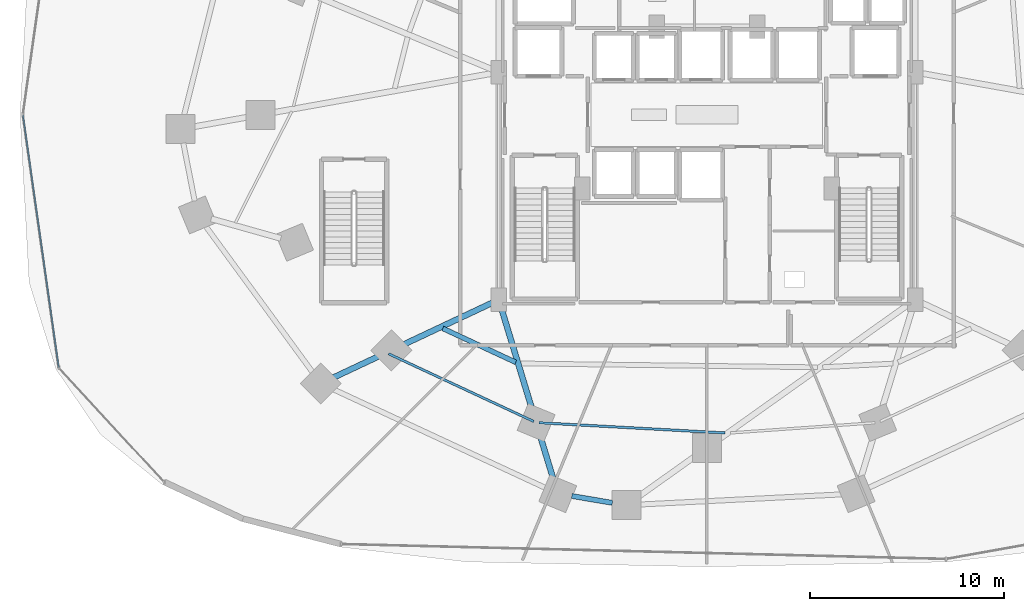
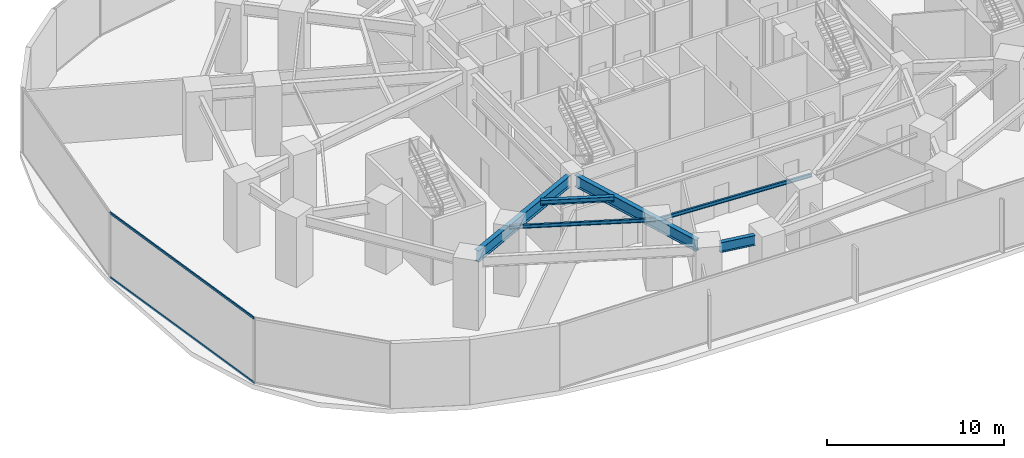
# One storey, part 5 of 27: 6 beams, 2 members, 1 element without a shape of its own.
"""IFC4 building model written with IfcOpenShell, lengths in metres."""

import ifcopenshell
import ifcopenshell.guid

model = None  # the IFC model being written
_history = None  # IfcOwnerHistory: only IFC2X3 demands one
_inside = {}  # id of a spatial element -> (the spatial element, [elements in it])
_under = {}  # id of a project, library or spatial element -> (it, [spatial elements below it])
_declared = {}  # id of a project -> (the project, [libraries it declares])
_typed = {}  # id of a type object -> (the type object, [elements of that type])
_made_of = {}  # id of a material, layer set ... -> (it, [elements and type objects made of it])


def new_model(schema):
    """Start an empty IFC model of exactly this schema.

    Asked for "IFC4X3", IfcOpenShell would pick the latest addendum, in which some entities
    have other attributes; the version numbers below select the first issue.
    IFC2X3 requires an IfcOwnerHistory on every rooted entity: one is made here for all.
    """
    global model, _history
    if schema == "IFC4X3":
        model = ifcopenshell.file(schema_version=(4, 3, 0, 0))
    else:
        model = ifcopenshell.file(schema=schema)
    _inside.clear()
    _under.clear()
    _declared.clear()
    _typed.clear()
    _made_of.clear()
    _history = None
    if model.schema == "IFC2X3":
        org = make("IfcOrganization", Name="unknown")
        user = make(
            "IfcPersonAndOrganization",
            ThePerson=make("IfcPerson", FamilyName="unknown"),
            TheOrganization=org,
        )
        app = make(
            "IfcApplication",
            ApplicationDeveloper=org,
            Version="unknown",
            ApplicationFullName="unknown",
            ApplicationIdentifier="unknown",
        )
        _history = make(
            "IfcOwnerHistory",
            OwningUser=user,
            OwningApplication=app,
            ChangeAction="ADDED",
            CreationDate=0,
        )
    return model


def make(cls, **values):
    """One entity of the class cls with the attributes given. An attribute that is None is left unset."""
    return model.create_entity(
        cls, **{name: value for name, value in values.items() if value is not None}
    )


def rooted(cls, **values):
    """An entity with a GlobalId (a new one), such as an element, a storey or a relation."""
    return make(cls, GlobalId=ifcopenshell.guid.new(), OwnerHistory=_history, **values)


def si_unit(unit_type, name, prefix=None):
    """IfcSIUnit, for example si_unit("LENGTHUNIT", "METRE", prefix="MILLI")."""
    return make("IfcSIUnit", UnitType=unit_type, Prefix=prefix, Name=name)


def assignment(units):
    """IfcUnitAssignment: the units of a project."""
    return None if units is None else make("IfcUnitAssignment", Units=units)


def point(xyz):
    """IfcCartesianPoint."""
    return None if xyz is None else make("IfcCartesianPoint", Coordinates=xyz)


def direction(xyz):
    """IfcDirection."""
    return None if xyz is None else make("IfcDirection", DirectionRatios=xyz)


def frame(location, z_axis=None, x_axis=None):
    """IfcAxis2Placement3D, a coordinate frame: its origin and axes. An axis left out is left unset."""
    return make(
        "IfcAxis2Placement3D",
        Location=point(location),
        Axis=direction(z_axis),
        RefDirection=direction(x_axis),
    )


def frame_2d(location, x_axis=None):
    """IfcAxis2Placement2D, a coordinate frame in the plane: its origin and x axis."""
    return make(
        "IfcAxis2Placement2D", Location=point(location), RefDirection=direction(x_axis)
    )


def origin():
    """The frame at (0, 0, 0) with its axes left unset."""
    return frame((0.0, 0.0, 0.0))


def origin_2d():
    """The frame at (0, 0) in the plane with its x axis left unset."""
    return frame_2d((0.0, 0.0))


def place(relative_to, where):
    """IfcLocalPlacement: puts the frame where relative to a parent placement (None: the world)."""
    return make(
        "IfcLocalPlacement", PlacementRelTo=relative_to, RelativePlacement=where
    )


def context(
    kind, dimensions, precision=None, world=None, true_north=None, identifier=None
):
    """IfcGeometricRepresentationContext, for example the 3D "Model" context."""
    return make(
        "IfcGeometricRepresentationContext",
        ContextIdentifier=identifier,
        ContextType=kind,
        CoordinateSpaceDimension=dimensions,
        Precision=precision,
        WorldCoordinateSystem=world,
        TrueNorth=true_north,
    )


def subcontext(parent, identifier, kind, view, scale=None):
    """IfcGeometricRepresentationSubContext, for example "Body" below "Model"."""
    return make(
        "IfcGeometricRepresentationSubContext",
        ContextIdentifier=identifier,
        ContextType=kind,
        ParentContext=parent,
        TargetScale=scale,
        TargetView=view,
    )


def project(units=None, contexts=None):
    """IfcProject with its units and contexts."""
    return rooted(
        "IfcProject",
        Name="project",
        RepresentationContexts=contexts,
        UnitsInContext=assignment(units),
    )


def spatial(cls, under=None, at=None, **own):
    """A site, building, storey or space (cls), placed at a placement, below another one or the project."""
    s = rooted(cls, ObjectPlacement=at, **own)
    if under is not None:
        _under.setdefault(under.id(), (under, []))[1].append(s)
    return s


def profile(cls, at=None, kind="AREA", **sizes):
    """A parametric profile (cls). Its sizes go by their IFC names, for example OverallWidth=200.0."""
    return make(cls, ProfileType=kind, Position=at, **sizes)


def hollow_rectangle(**sizes):
    """IfcRectangleHollowProfileDef."""
    return profile("IfcRectangleHollowProfileDef", **sizes)


def i_section(**sizes):
    """IfcIShapeProfileDef."""
    return profile("IfcIShapeProfileDef", **sizes)


def extrude(swept, where, along, depth):
    """IfcExtrudedAreaSolid: the profile swept, set in the frame where, extruded along a direction by depth."""
    return make(
        "IfcExtrudedAreaSolid",
        SweptArea=swept,
        Position=where,
        ExtrudedDirection=direction(along),
        Depth=depth,
    )


def shape(context_of_items, identifier, shape_type, items):
    """IfcShapeRepresentation: the items that make up one representation, for example the "Body"."""
    return make(
        "IfcShapeRepresentation",
        ContextOfItems=context_of_items,
        RepresentationIdentifier=identifier,
        RepresentationType=shape_type,
        Items=items,
    )


def material(Name=None, Category=None):
    """IfcMaterial."""
    return make("IfcMaterial", Name=Name, Category=Category)


def material_profile(
    of_material, cross_section, Name=None, Category=None, Priority=None
):
    """IfcMaterialProfile: a cross section and its material."""
    return make(
        "IfcMaterialProfile",
        Name=Name,
        Material=of_material,
        Profile=cross_section,
        Priority=Priority,
        Category=Category,
    )


def profile_set(profiles, Name=None, composite=None):
    """IfcMaterialProfileSet."""
    return make(
        "IfcMaterialProfileSet",
        Name=Name,
        MaterialProfiles=profiles,
        CompositeProfile=composite,
    )


def made_of(thing, what):
    """Note that an element or type object is made of a material, layer set ...; save() writes the relation."""
    if what is not None:
        _made_of.setdefault(what.id(), (what, []))[1].append(thing)
    return thing


def type_object(cls, material=None, **own):
    """A type object (cls), such as IfcWallType, which elements share."""
    return made_of(rooted(cls, **own), material)


def element(
    cls,
    number,
    at=None,
    inside=None,
    cuts=None,
    type_object=None,
    material=None,
    context=None,
    identifier="Body",
    shape_type=None,
    held_by="IfcProductDefinitionShape",
    body=None,
    shapes=None,
    **own,
):
    """One element of the class cls, such as IfcWall. Its Tag is "e" and its number.

    at: its placement. inside: the storey or other place that contains it. cuts: it is an
    opening in that element (IfcRelVoidsElement). A single representation is given by context,
    identifier, shape_type and body (its items); several are given by shapes. held_by: the class
    of the entity that holds the representations. save() writes the other relations.
    """
    e = rooted(cls, Tag="e%d" % number, ObjectPlacement=at, **own)
    if body is not None:
        shapes = [shape(context, identifier, shape_type, body)]
    if shapes is not None:
        e.Representation = make(held_by, Representations=shapes)
    if inside is not None:
        _inside.setdefault(inside.id(), (inside, []))[1].append(e)
    if cuts is not None:
        rooted(
            "IfcRelVoidsElement", RelatingBuildingElement=cuts, RelatedOpeningElement=e
        )
    if type_object is not None:
        _typed.setdefault(type_object.id(), (type_object, []))[1].append(e)
    return made_of(e, material)


def aggregate(whole, parts):
    """IfcRelAggregates: a whole, such as a stair, and the parts it consists of."""
    return rooted("IfcRelAggregates", RelatingObject=whole, RelatedObjects=parts)


def save(model, path):
    """Write the relations noted so far, then the file.

    IfcRelAggregates (storeys below a building ...), IfcRelContainedInSpatialStructure (elements
    in a storey), IfcRelDefinesByType, IfcRelAssociatesMaterial and IfcRelDeclares: one each for
    every whole, place, type object, material and project.
    """
    for whole, parts in _under.values():
        aggregate(whole, parts)
    for where, things in _inside.values():
        rooted(
            "IfcRelContainedInSpatialStructure",
            RelatedElements=things,
            RelatingStructure=where,
        )
    for kind, things in _typed.values():
        rooted("IfcRelDefinesByType", RelatedObjects=things, RelatingType=kind)
    for what, things in _made_of.values():
        rooted("IfcRelAssociatesMaterial", RelatedObjects=things, RelatingMaterial=what)
    for by, libraries in _declared.values():
        rooted("IfcRelDeclares", RelatingContext=by, RelatedDefinitions=libraries)
    model.write(path)


model = new_model("IFC4")

# Units and contexts
model_context = context("Model", 3, precision=1e-05, world=origin(), true_north=direction((0.0, 1.0)))
body_context = subcontext(model_context, "Body", "Model", "MODEL_VIEW")
ifc_project = project(units=[si_unit("LENGTHUNIT", "METRE"), si_unit("AREAUNIT", "SQUARE_METRE"), si_unit("VOLUMEUNIT", "CUBIC_METRE"), si_unit("PLANEANGLEUNIT", "RADIAN"), si_unit("MASSUNIT", "GRAM", prefix="KILO")], contexts=[model_context])

# Site, building, storey
site_placement = place(None, origin())
site = spatial("IfcSite", under=ifc_project, at=site_placement, CompositionType="ELEMENT")
building_placement = place(site_placement, origin())
building = spatial("IfcBuilding", under=site, at=building_placement, Name="Vorneva Point Tower", CompositionType="ELEMENT")
storey_placement = place(building_placement, frame((0.0, 0.0, 4.800048828125)))
storey = spatial("IfcBuildingStorey", under=building, at=storey_placement, Name="L01", CompositionType="ELEMENT", Elevation=4.800048828125)

# Beams
ifc_material_1 = material(Name="Steel S355", Category="steel")
ifc_material_profile_1 = material_profile(ifc_material_1, i_section(OverallWidth=0.300048828125, OverallDepth=0.7880859375, WebThickness=0.014404296875, FlangeThickness=0.02197265625, at=origin_2d()), Name="80Sh1")
ifc_profile_set_1 = profile_set([ifc_material_profile_1], Name="Steel S355")
beam_type_1 = type_object("IfcBeamType", Name="BM-GRD-80Sh1", PredefinedType="USERDEFINED", material=ifc_profile_set_1)
beam_1_placement = place(storey_placement, frame((18.72900390625, 12.4384765625, 4.0859375), z_axis=(0.90475164766, 0.425939498117, 0.0), x_axis=(-0.425939498117, 0.90475164766, 0.0)))
element("IfcBeam", 1, at=beam_1_placement, inside=storey, type_object=beam_type_1, Name="L01 Radial Primary Girder 11", ObjectType="GIRDER", PredefinedType="USERDEFINED", context=body_context, shape_type="SweptSolid", body=[
    extrude(i_section(OverallWidth=0.300048828125, OverallDepth=0.7880859375, WebThickness=0.014404296875, FlangeThickness=0.02197265625, at=origin_2d()), origin(), (0.0, 0.0, 1.0), 9.078125),
])
beam_2_placement = place(storey_placement, frame((30.08203125, 7.14111328125, 4.0859375), z_axis=(-0.291040566437, 0.956710713167, 0.0), x_axis=(-0.956710713167, -0.291040566437, 0.0)))
element("IfcBeam", 2, at=beam_2_placement, inside=storey, type_object=beam_type_1, Name="L01 Radial Primary Girder 12", ObjectType="GIRDER", PredefinedType="USERDEFINED", context=body_context, shape_type="SweptSolid", body=[
    extrude(i_section(OverallWidth=0.300048828125, OverallDepth=0.7880859375, WebThickness=0.014404296875, FlangeThickness=0.02197265625, at=origin_2d()), origin(), (0.0, 0.0, 1.0), 9.39013671875),
])
ifc_material_profile_2 = material_profile(ifc_material_1, i_section(OverallWidth=0.1240234375, OverallDepth=0.248046875, WebThickness=0.0048828125, FlangeThickness=0.008056640625, at=origin_2d()), Name="25B1")
ifc_profile_set_2 = profile_set([ifc_material_profile_2], Name="Steel S355")
beam_type_2 = type_object("IfcBeamType", Name="BM-JST-25B1", PredefinedType="JOIST", material=ifc_profile_set_2)
beam_3_placement = place(storey_placement, frame((21.564453125, 13.65625, 4.35595703125), z_axis=(0.906344573317, -0.422539364342, 0.0), x_axis=(0.422539364342, 0.906344573317, 0.0)))
element("IfcBeam", 3, at=beam_3_placement, inside=storey, type_object=beam_type_2, Name="L01 Secondary Floor Beam 1.11", PredefinedType="JOIST", context=body_context, shape_type="SweptSolid", body=[
    extrude(i_section(OverallWidth=0.1240234375, OverallDepth=0.248046875, WebThickness=0.0048828125, FlangeThickness=0.008056640625, at=origin_2d()), origin(), (0.0, 0.0, 1.0), 8.2646484375),
])
beam_4_placement = place(storey_placement, frame((29.318115234375, 10.09814453125, 4.35595703125), z_axis=(0.998496873544, -0.054808699332, 0.0), x_axis=(0.054808699332, 0.998496873544, 0.0)))
element("IfcBeam", 4, at=beam_4_placement, inside=storey, type_object=beam_type_2, Name="L01 Secondary Floor Beam 1.12", PredefinedType="JOIST", context=body_context, shape_type="SweptSolid", body=[
    extrude(i_section(OverallWidth=0.1240234375, OverallDepth=0.248046875, WebThickness=0.0048828125, FlangeThickness=0.008056640625, at=origin_2d()), origin(), (0.0, 0.0, 1.0), 9.63037109375),
])
ifc_material_profile_3 = material_profile(ifc_material_1, i_section(OverallWidth=0.2490234375, OverallDepth=0.333984375, WebThickness=0.008056640625, FlangeThickness=0.010986328125, at=origin_2d()), Name="35Sh1")
ifc_profile_set_3 = profile_set([ifc_material_profile_3], Name="Steel S355")
beam_type_3 = type_object("IfcBeamType", Name="BM-SEC-35Sh1", PredefinedType="BEAM", material=ifc_profile_set_3)
beam_5_placement = place(storey_placement, frame((24.357177734375, 14.970947265625, 4.31298828125), z_axis=(0.906733126225, -0.42170491793, 0.0), x_axis=(0.42170491793, 0.906733126225, 0.0)))
element("IfcBeam", 5, at=beam_5_placement, inside=storey, type_object=beam_type_3, Name="L01 Secondary Floor Beam 2.11", PredefinedType="BEAM", context=body_context, shape_type="SweptSolid", body=[
    extrude(i_section(OverallWidth=0.2490234375, OverallDepth=0.333984375, WebThickness=0.008056640625, FlangeThickness=0.010986328125, at=origin_2d()), origin(), (0.0, 0.0, 1.0), 4.15625),
])
ifc_material_profile_4 = material_profile(ifc_material_1, i_section(OverallWidth=0.260009765625, OverallDepth=0.69091796875, WebThickness=0.011962890625, FlangeThickness=0.015380859375, at=origin_2d()), Name="70B1")
ifc_profile_set_4 = profile_set([ifc_material_profile_4], Name="Steel S355")
beam_type_4 = type_object("IfcBeamType", Name="BM-SPN-70B1", PredefinedType="SPANDREL", material=ifc_profile_set_4)
beam_6_placement = place(storey_placement, frame((31.021728515625, 6.3134765625, 4.134521484375), z_axis=(0.98617550681, -0.165704163399, 0.0), x_axis=(0.165704163399, 0.98617550681, 0.0)))
element("IfcBeam", 6, at=beam_6_placement, inside=storey, type_object=beam_type_4, Name="L01 Perimeter Spandrel Ring Beam 12", PredefinedType="SPANDREL", context=body_context, shape_type="SweptSolid", body=[
    extrude(i_section(OverallWidth=0.260009765625, OverallDepth=0.69091796875, WebThickness=0.011962890625, FlangeThickness=0.015380859375, at=origin_2d()), origin(), (0.0, 0.0, 1.0), 2.123046875),
])

# Curtain wall, members
ifc_material_2 = material(Name="Pale anodised aluminium", Category="aluminium")
curtain_wall_type = type_object("IfcCurtainWallType", Name="CW-POD-SYS", PredefinedType="NOTDEFINED", material=ifc_material_2)
curtain_wall_placement = place(storey_placement, origin())
curtain_wall = element("IfcCurtainWall", 7, at=curtain_wall_placement, inside=storey, type_object=curtain_wall_type, Name="L01 Unitised Curtain Wall CW-L01-R03", PredefinedType="NOTDEFINED")
ifc_material_profile_5 = material_profile(ifc_material_2, hollow_rectangle(XDim=0.074951171875, YDim=0.14990234375, WallThickness=0.00390625, at=origin_2d()), Name="AL-TRN 150x75x4")
ifc_profile_set_5 = profile_set([ifc_material_profile_5], Name="Pale anodised aluminium")
member_type = type_object("IfcMemberType", Name="CW-TRN-150", PredefinedType="USERDEFINED", material=ifc_profile_set_5)
member_1_placement = place(storey_placement, frame((2.677978515625, 26.0, 0.02001953125), z_axis=(0.140345678, -0.990102565731, 0.0), x_axis=(0.990102565731, 0.140345678, 0.0)))
member_1 = element("IfcMember", 8, at=member_1_placement, type_object=member_type, Name="CW-L01-R03 Transom 02.1", ObjectType="TRANSOM", PredefinedType="USERDEFINED", context=body_context, shape_type="SweptSolid", body=[
    extrude(hollow_rectangle(XDim=0.074951171875, YDim=0.14990234375, WallThickness=0.00390625, at=origin_2d()), origin(), (0.0, 0.0, 1.0), 13.187744140625),
])
member_2_placement = place(storey_placement, frame((2.677978515625, 26.0, 4.4599609375), z_axis=(0.140345678, -0.990102565731, 0.0), x_axis=(0.990102565731, 0.140345678, 0.0)))
member_2 = element("IfcMember", 9, at=member_2_placement, type_object=member_type, Name="CW-L01-R03 Transom 02.2", ObjectType="TRANSOM", PredefinedType="USERDEFINED", context=body_context, shape_type="SweptSolid", body=[
    extrude(hollow_rectangle(XDim=0.074951171875, YDim=0.14990234375, WallThickness=0.00390625, at=origin_2d()), origin(), (0.0, 0.0, 1.0), 13.187744140625),
])
aggregate(curtain_wall, [member_1, member_2])

save(model, "model.ifc")
